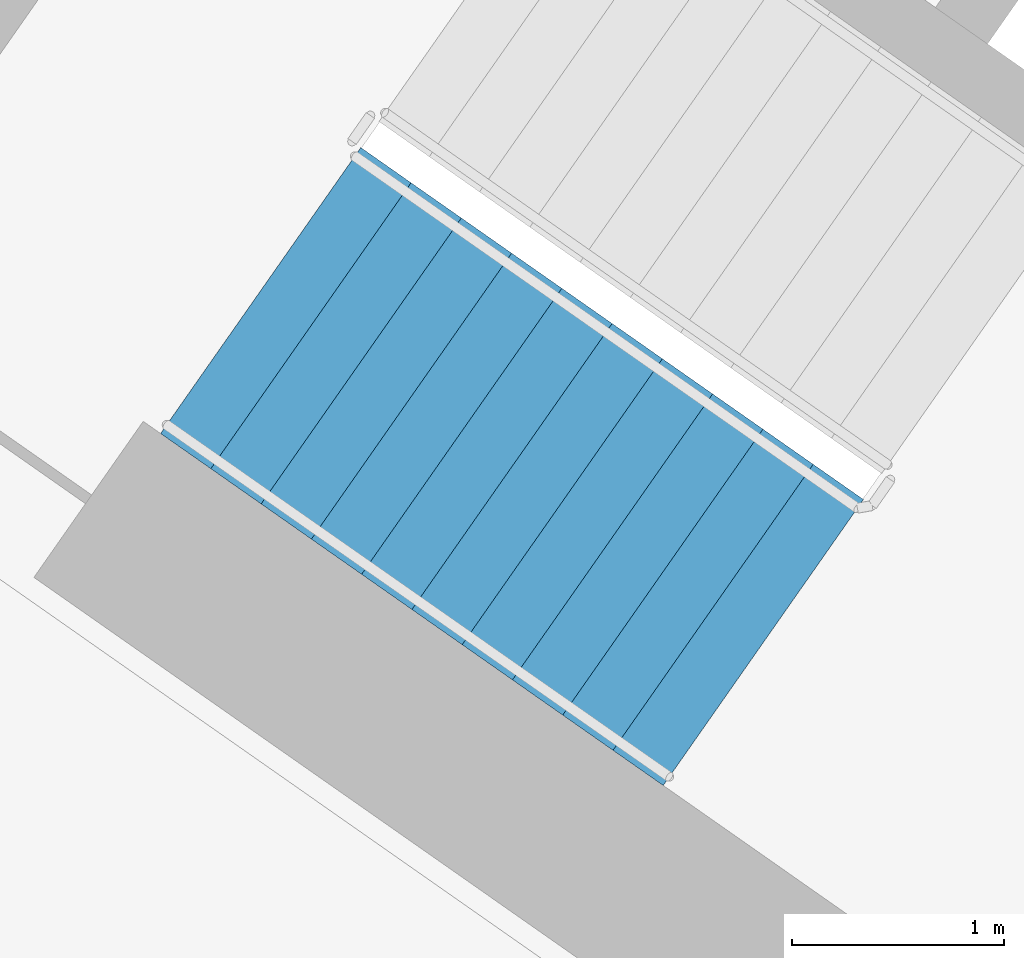
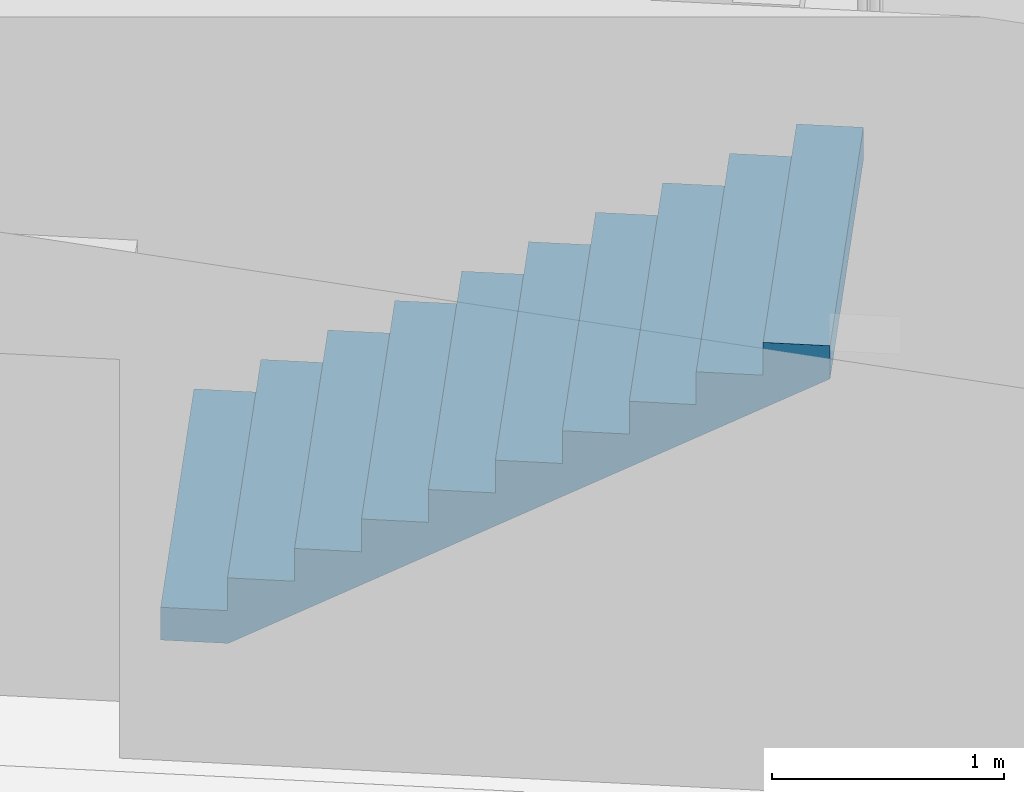
# One storey, part 11 of 31: 1 stair flight, 1 element without a shape of its own.
"""IFC4 building model written with IfcOpenShell, lengths in metres."""

from ifc_helpers import new_model, si_unit, direction, frame, origin, place, context, subcontext, project, spatial, faceted_brep, material, type_object, element, aggregate, save


model = new_model("IFC4")

# Units and contexts
model_context = context("Model", 3, precision=1e-05, world=origin(), true_north=direction((0.0, 1.0)))
body_context = subcontext(model_context, "Body", "Model", "MODEL_VIEW")
ifc_project = project(units=[si_unit("LENGTHUNIT", "METRE"), si_unit("AREAUNIT", "SQUARE_METRE"), si_unit("VOLUMEUNIT", "CUBIC_METRE"), si_unit("PLANEANGLEUNIT", "RADIAN"), si_unit("MASSUNIT", "GRAM", prefix="KILO")], contexts=[model_context])

# Site, building, storey
site_placement = place(None, origin())
site = spatial("IfcSite", under=ifc_project, at=site_placement, CompositionType="ELEMENT")
building_placement = place(site_placement, origin())
building = spatial("IfcBuilding", under=site, at=building_placement, Name="Qamariyya Broadcast Tower", CompositionType="ELEMENT")
storey_placement = place(building_placement, frame((0.0, 0.0, 59.5)))
storey = spatial("IfcBuildingStorey", under=building, at=storey_placement, Name="L11", CompositionType="ELEMENT", Elevation=59.5)

# Stair, stair flight
ifc_material = material(Name="Concrete C50/60", Category="concrete")
stair_type = type_object("IfcStairType", Name="Exit stair 22 risers of 173 mm", PredefinedType="HALF_TURN_STAIR", material=ifc_material)
stair_placement = place(storey_placement, origin())
stair = element("IfcStair", 1, at=stair_placement, inside=storey, type_object=stair_type, Name="L11 Stair W1", PredefinedType="HALF_TURN_STAIR")
stair_flight_type = type_object("IfcStairFlightType", Name="Exit stair flight 11 risers of 173 mm", PredefinedType="STRAIGHT", material=ifc_material)
stair_flight_placement = place(storey_placement, frame((-47.06884765625, -56.982666015625, 0.0), z_axis=(0.0, 0.0, 1.0), x_axis=(0.819152044289, -0.573576436351, 0.0)))
stair_flight = element("IfcStairFlight", 2, at=stair_flight_placement, type_object=stair_flight_type, Name="ST-W1 flight 1", NumberOfRisers=11, NumberOfTreads=10, PredefinedType="STRAIGHT", RiserHeight=0.172727273, TreadLength=0.29, context=body_context, shape_type="Brep", body=[
    faceted_brep([(0.0, 0.824951171875, 0.0), (0.0, 0.824951171875, 0.172607421875), (0.2900390625, 0.824951171875, 0.172607421875), (0.2900390625, 0.824951171875, 0.345458984375), (0.580078125, 0.824951171875, 0.345458984375), (0.580078125, 0.824951171875, 0.51806640625), (0.8701171875, 0.824951171875, 0.51806640625), (0.8701171875, 0.824951171875, 0.69091796875), (1.159912109375, 0.824951171875, 0.69091796875), (1.159912109375, 0.824951171875, 0.863525390625), (1.449951171875, 0.824951171875, 0.863525390625), (1.449951171875, 0.824951171875, 1.036376953125), (1.739990234375, 0.824951171875, 1.036376953125), (1.739990234375, 0.824951171875, 1.208984375), (2.030029296875, 0.824951171875, 1.208984375), (2.030029296875, 0.824951171875, 1.3818359375), (2.320068359375, 0.824951171875, 1.3818359375), (2.320068359375, 0.824951171875, 1.554443359375), (2.610107421875, 0.824951171875, 1.554443359375), (2.610107421875, 0.824951171875, 1.727294921875), (2.89990234375, 0.824951171875, 1.727294921875), (2.89990234375, 0.824951171875, 1.552734375), (0.29296875, 0.824951171875, 0.0), (0.29296875, -0.824951171875, 0.0), (2.89990234375, -0.824951171875, 1.552734375), (2.89990234375, -0.824951171875, 1.727294921875), (2.610107421875, -0.824951171875, 1.727294921875), (2.610107421875, -0.824951171875, 1.554443359375), (2.320068359375, -0.824951171875, 1.554443359375), (2.320068359375, -0.824951171875, 1.3818359375), (2.030029296875, -0.824951171875, 1.3818359375), (2.030029296875, -0.824951171875, 1.208984375), (1.739990234375, -0.824951171875, 1.208984375), (1.739990234375, -0.824951171875, 1.036376953125), (1.449951171875, -0.824951171875, 1.036376953125), (1.449951171875, -0.824951171875, 0.863525390625), (1.159912109375, -0.824951171875, 0.863525390625), (1.159912109375, -0.824951171875, 0.69091796875), (0.8701171875, -0.824951171875, 0.69091796875), (0.8701171875, -0.824951171875, 0.51806640625), (0.580078125, -0.824951171875, 0.51806640625), (0.580078125, -0.824951171875, 0.345458984375), (0.2900390625, -0.824951171875, 0.345458984375), (0.2900390625, -0.824951171875, 0.172607421875), (0.0, -0.824951171875, 0.172607421875), (0.0, -0.824951171875, 0.0), (0.0, 0.10009765625, 0.0), (0.0, 0.086669921875, 0.0), (0.0, 0.0732421875, 0.0), (0.0, 0.06005859375, 0.0), (0.0, 0.046630859375, 0.0), (0.0, 0.033447265625, 0.0), (0.0, 0.02001953125, 0.0), (0.0, 0.006591796875, 0.0), (0.0, -0.006591796875, 0.0), (0.0, -0.02001953125, 0.0), (0.0, -0.033447265625, 0.0), (0.0, -0.046630859375, 0.0), (0.0, -0.06005859375, 0.0), (0.0, -0.0732421875, 0.0), (0.0, -0.086669921875, 0.0), (0.0, -0.10009765625, 0.0), (0.0, -0.10009765625, 0.172607421875), (0.0, -0.086669921875, 0.172607421875), (0.0, -0.0732421875, 0.172607421875), (0.0, -0.06005859375, 0.172607421875), (0.0, -0.046630859375, 0.172607421875), (0.0, -0.033447265625, 0.172607421875), (0.0, -0.02001953125, 0.172607421875), (0.0, -0.006591796875, 0.172607421875), (0.0, 0.006591796875, 0.172607421875), (0.0, 0.02001953125, 0.172607421875), (0.0, 0.033447265625, 0.172607421875), (0.0, 0.046630859375, 0.172607421875), (0.0, 0.06005859375, 0.172607421875), (0.0, 0.0732421875, 0.172607421875), (0.0, 0.086669921875, 0.172607421875), (0.0, 0.10009765625, 0.172607421875), (0.2900390625, -0.10009765625, 0.172607421875), (0.2900390625, -0.086669921875, 0.172607421875), (0.2900390625, -0.0732421875, 0.172607421875), (0.2900390625, -0.06005859375, 0.172607421875), (0.2900390625, -0.046630859375, 0.172607421875), (0.2900390625, -0.033447265625, 0.172607421875), (0.2900390625, -0.02001953125, 0.172607421875), (0.2900390625, -0.006591796875, 0.172607421875), (0.2900390625, 0.006591796875, 0.172607421875), (0.2900390625, 0.02001953125, 0.172607421875), (0.2900390625, 0.033447265625, 0.172607421875), (0.2900390625, 0.046630859375, 0.172607421875), (0.2900390625, 0.06005859375, 0.172607421875), (0.2900390625, 0.0732421875, 0.172607421875), (0.2900390625, 0.086669921875, 0.172607421875), (0.2900390625, 0.10009765625, 0.172607421875), (0.2900390625, -0.10009765625, 0.345458984375), (0.2900390625, -0.086669921875, 0.345458984375), (0.2900390625, -0.0732421875, 0.345458984375), (0.2900390625, -0.06005859375, 0.345458984375), (0.2900390625, -0.046630859375, 0.345458984375), (0.2900390625, -0.033447265625, 0.345458984375), (0.2900390625, -0.02001953125, 0.345458984375), (0.2900390625, -0.006591796875, 0.345458984375), (0.2900390625, 0.006591796875, 0.345458984375), (0.2900390625, 0.02001953125, 0.345458984375), (0.2900390625, 0.033447265625, 0.345458984375), (0.2900390625, 0.046630859375, 0.345458984375), (0.2900390625, 0.06005859375, 0.345458984375), (0.2900390625, 0.0732421875, 0.345458984375), (0.2900390625, 0.086669921875, 0.345458984375), (0.2900390625, 0.10009765625, 0.345458984375), (0.580078125, -0.10009765625, 0.345458984375), (0.580078125, -0.086669921875, 0.345458984375), (0.580078125, -0.0732421875, 0.345458984375), (0.580078125, -0.06005859375, 0.345458984375), (0.580078125, -0.046630859375, 0.345458984375), (0.580078125, -0.033447265625, 0.345458984375), (0.580078125, -0.02001953125, 0.345458984375), (0.580078125, -0.006591796875, 0.345458984375), (0.580078125, 0.006591796875, 0.345458984375), (0.580078125, 0.02001953125, 0.345458984375), (0.580078125, 0.033447265625, 0.345458984375), (0.580078125, 0.046630859375, 0.345458984375), (0.580078125, 0.06005859375, 0.345458984375), (0.580078125, 0.0732421875, 0.345458984375), (0.580078125, 0.086669921875, 0.345458984375), (0.580078125, 0.10009765625, 0.345458984375), (0.580078125, -0.10009765625, 0.51806640625), (0.580078125, -0.086669921875, 0.51806640625), (0.580078125, -0.0732421875, 0.51806640625), (0.580078125, -0.06005859375, 0.51806640625), (0.580078125, -0.046630859375, 0.51806640625), (0.580078125, -0.033447265625, 0.51806640625), (0.580078125, -0.02001953125, 0.51806640625), (0.580078125, -0.006591796875, 0.51806640625), (0.580078125, 0.006591796875, 0.51806640625), (0.580078125, 0.02001953125, 0.51806640625), (0.580078125, 0.033447265625, 0.51806640625), (0.580078125, 0.046630859375, 0.51806640625), (0.580078125, 0.06005859375, 0.51806640625), (0.580078125, 0.0732421875, 0.51806640625), (0.580078125, 0.086669921875, 0.51806640625), (0.580078125, 0.10009765625, 0.51806640625), (0.8701171875, -0.10009765625, 0.51806640625), (0.8701171875, -0.086669921875, 0.51806640625), (0.8701171875, -0.0732421875, 0.51806640625), (0.8701171875, -0.06005859375, 0.51806640625), (0.8701171875, -0.046630859375, 0.51806640625), (0.8701171875, -0.033447265625, 0.51806640625), (0.8701171875, -0.02001953125, 0.51806640625), (0.8701171875, -0.006591796875, 0.51806640625), (0.8701171875, 0.006591796875, 0.51806640625), (0.8701171875, 0.02001953125, 0.51806640625), (0.8701171875, 0.033447265625, 0.51806640625), (0.8701171875, 0.046630859375, 0.51806640625), (0.8701171875, 0.06005859375, 0.51806640625), (0.8701171875, 0.0732421875, 0.51806640625), (0.8701171875, 0.086669921875, 0.51806640625), (0.8701171875, 0.10009765625, 0.51806640625), (0.8701171875, -0.10009765625, 0.69091796875), (0.8701171875, -0.086669921875, 0.69091796875), (0.8701171875, -0.0732421875, 0.69091796875), (0.8701171875, -0.06005859375, 0.69091796875), (0.8701171875, -0.046630859375, 0.69091796875), (0.8701171875, -0.033447265625, 0.69091796875), (0.8701171875, -0.02001953125, 0.69091796875), (0.8701171875, -0.006591796875, 0.69091796875), (0.8701171875, 0.006591796875, 0.69091796875), (0.8701171875, 0.02001953125, 0.69091796875), (0.8701171875, 0.033447265625, 0.69091796875), (0.8701171875, 0.046630859375, 0.69091796875), (0.8701171875, 0.06005859375, 0.69091796875), (0.8701171875, 0.0732421875, 0.69091796875), (0.8701171875, 0.086669921875, 0.69091796875), (0.8701171875, 0.10009765625, 0.69091796875), (1.159912109375, -0.10009765625, 0.69091796875), (1.159912109375, -0.086669921875, 0.69091796875), (1.159912109375, -0.0732421875, 0.69091796875), (1.159912109375, -0.06005859375, 0.69091796875), (1.159912109375, -0.046630859375, 0.69091796875), (1.159912109375, -0.033447265625, 0.69091796875), (1.159912109375, -0.02001953125, 0.69091796875), (1.159912109375, -0.006591796875, 0.69091796875), (1.159912109375, 0.006591796875, 0.69091796875), (1.159912109375, 0.02001953125, 0.69091796875), (1.159912109375, 0.033447265625, 0.69091796875), (1.159912109375, 0.046630859375, 0.69091796875), (1.159912109375, 0.06005859375, 0.69091796875), (1.159912109375, 0.0732421875, 0.69091796875), (1.159912109375, 0.086669921875, 0.69091796875), (1.159912109375, 0.10009765625, 0.69091796875), (1.159912109375, -0.10009765625, 0.863525390625), (1.159912109375, -0.086669921875, 0.863525390625), (1.159912109375, -0.0732421875, 0.863525390625), (1.159912109375, -0.06005859375, 0.863525390625), (1.159912109375, -0.046630859375, 0.863525390625), (1.159912109375, -0.033447265625, 0.863525390625), (1.159912109375, -0.02001953125, 0.863525390625), (1.159912109375, -0.006591796875, 0.863525390625), (1.159912109375, 0.006591796875, 0.863525390625), (1.159912109375, 0.02001953125, 0.863525390625), (1.159912109375, 0.033447265625, 0.863525390625), (1.159912109375, 0.046630859375, 0.863525390625), (1.159912109375, 0.06005859375, 0.863525390625), (1.159912109375, 0.0732421875, 0.863525390625), (1.159912109375, 0.086669921875, 0.863525390625), (1.159912109375, 0.10009765625, 0.863525390625), (1.449951171875, -0.10009765625, 0.863525390625), (1.449951171875, -0.086669921875, 0.863525390625), (1.449951171875, -0.0732421875, 0.863525390625), (1.449951171875, -0.06005859375, 0.863525390625), (1.449951171875, -0.046630859375, 0.863525390625), (1.449951171875, -0.033447265625, 0.863525390625), (1.449951171875, -0.02001953125, 0.863525390625), (1.449951171875, -0.006591796875, 0.863525390625), (1.449951171875, 0.006591796875, 0.863525390625), (1.449951171875, 0.02001953125, 0.863525390625), (1.449951171875, 0.033447265625, 0.863525390625), (1.449951171875, 0.046630859375, 0.863525390625), (1.449951171875, 0.06005859375, 0.863525390625), (1.449951171875, 0.0732421875, 0.863525390625), (1.449951171875, 0.086669921875, 0.863525390625), (1.449951171875, 0.10009765625, 0.863525390625), (1.449951171875, -0.10009765625, 1.036376953125), (1.449951171875, -0.086669921875, 1.036376953125), (1.449951171875, -0.0732421875, 1.036376953125), (1.449951171875, -0.06005859375, 1.036376953125), (1.449951171875, -0.046630859375, 1.036376953125), (1.449951171875, -0.033447265625, 1.036376953125), (1.449951171875, -0.02001953125, 1.036376953125), (1.449951171875, -0.006591796875, 1.036376953125), (1.449951171875, 0.006591796875, 1.036376953125), (1.449951171875, 0.02001953125, 1.036376953125), (1.449951171875, 0.033447265625, 1.036376953125), (1.449951171875, 0.046630859375, 1.036376953125), (1.449951171875, 0.06005859375, 1.036376953125), (1.449951171875, 0.0732421875, 1.036376953125), (1.449951171875, 0.086669921875, 1.036376953125), (1.449951171875, 0.10009765625, 1.036376953125), (1.739990234375, -0.10009765625, 1.036376953125), (1.739990234375, -0.086669921875, 1.036376953125), (1.739990234375, -0.0732421875, 1.036376953125), (1.739990234375, -0.06005859375, 1.036376953125), (1.739990234375, -0.046630859375, 1.036376953125), (1.739990234375, -0.033447265625, 1.036376953125), (1.739990234375, -0.02001953125, 1.036376953125), (1.739990234375, -0.006591796875, 1.036376953125), (1.739990234375, 0.006591796875, 1.036376953125), (1.739990234375, 0.02001953125, 1.036376953125), (1.739990234375, 0.033447265625, 1.036376953125), (1.739990234375, 0.046630859375, 1.036376953125), (1.739990234375, 0.06005859375, 1.036376953125), (1.739990234375, 0.0732421875, 1.036376953125), (1.739990234375, 0.086669921875, 1.036376953125), (1.739990234375, 0.10009765625, 1.036376953125), (1.739990234375, -0.10009765625, 1.208984375), (1.739990234375, -0.086669921875, 1.208984375), (1.739990234375, -0.0732421875, 1.208984375), (1.739990234375, -0.06005859375, 1.208984375), (1.739990234375, -0.046630859375, 1.208984375), (1.739990234375, -0.033447265625, 1.208984375), (1.739990234375, -0.02001953125, 1.208984375), (1.739990234375, -0.006591796875, 1.208984375), (1.739990234375, 0.006591796875, 1.208984375), (1.739990234375, 0.02001953125, 1.208984375), (1.739990234375, 0.033447265625, 1.208984375), (1.739990234375, 0.046630859375, 1.208984375), (1.739990234375, 0.06005859375, 1.208984375), (1.739990234375, 0.0732421875, 1.208984375), (1.739990234375, 0.086669921875, 1.208984375), (1.739990234375, 0.10009765625, 1.208984375), (2.030029296875, -0.10009765625, 1.208984375), (2.030029296875, -0.086669921875, 1.208984375), (2.030029296875, -0.0732421875, 1.208984375), (2.030029296875, -0.06005859375, 1.208984375), (2.030029296875, -0.046630859375, 1.208984375), (2.030029296875, -0.033447265625, 1.208984375), (2.030029296875, -0.02001953125, 1.208984375), (2.030029296875, -0.006591796875, 1.208984375), (2.030029296875, 0.006591796875, 1.208984375), (2.030029296875, 0.02001953125, 1.208984375), (2.030029296875, 0.033447265625, 1.208984375), (2.030029296875, 0.046630859375, 1.208984375), (2.030029296875, 0.06005859375, 1.208984375), (2.030029296875, 0.0732421875, 1.208984375), (2.030029296875, 0.086669921875, 1.208984375), (2.030029296875, 0.10009765625, 1.208984375), (2.030029296875, -0.10009765625, 1.3818359375), (2.030029296875, -0.086669921875, 1.3818359375), (2.030029296875, -0.0732421875, 1.3818359375), (2.030029296875, -0.06005859375, 1.3818359375), (2.030029296875, -0.046630859375, 1.3818359375), (2.030029296875, -0.033447265625, 1.3818359375), (2.030029296875, -0.02001953125, 1.3818359375), (2.030029296875, -0.006591796875, 1.3818359375), (2.030029296875, 0.006591796875, 1.3818359375), (2.030029296875, 0.02001953125, 1.3818359375), (2.030029296875, 0.033447265625, 1.3818359375), (2.030029296875, 0.046630859375, 1.3818359375), (2.030029296875, 0.06005859375, 1.3818359375), (2.030029296875, 0.0732421875, 1.3818359375), (2.030029296875, 0.086669921875, 1.3818359375), (2.030029296875, 0.10009765625, 1.3818359375), (2.320068359375, -0.10009765625, 1.3818359375), (2.320068359375, -0.086669921875, 1.3818359375), (2.320068359375, -0.0732421875, 1.3818359375), (2.320068359375, -0.06005859375, 1.3818359375), (2.320068359375, -0.046630859375, 1.3818359375), (2.320068359375, -0.033447265625, 1.3818359375), (2.320068359375, -0.02001953125, 1.3818359375), (2.320068359375, -0.006591796875, 1.3818359375), (2.320068359375, 0.006591796875, 1.3818359375), (2.320068359375, 0.02001953125, 1.3818359375), (2.320068359375, 0.033447265625, 1.3818359375), (2.320068359375, 0.046630859375, 1.3818359375), (2.320068359375, 0.06005859375, 1.3818359375), (2.320068359375, 0.0732421875, 1.3818359375), (2.320068359375, 0.086669921875, 1.3818359375), (2.320068359375, 0.10009765625, 1.3818359375), (2.320068359375, -0.10009765625, 1.554443359375), (2.320068359375, -0.086669921875, 1.554443359375), (2.320068359375, -0.0732421875, 1.554443359375), (2.320068359375, -0.06005859375, 1.554443359375), (2.320068359375, -0.046630859375, 1.554443359375), (2.320068359375, -0.033447265625, 1.554443359375), (2.320068359375, -0.02001953125, 1.554443359375), (2.320068359375, -0.006591796875, 1.554443359375), (2.320068359375, 0.006591796875, 1.554443359375), (2.320068359375, 0.02001953125, 1.554443359375), (2.320068359375, 0.033447265625, 1.554443359375), (2.320068359375, 0.046630859375, 1.554443359375), (2.320068359375, 0.06005859375, 1.554443359375), (2.320068359375, 0.0732421875, 1.554443359375), (2.320068359375, 0.086669921875, 1.554443359375), (2.320068359375, 0.10009765625, 1.554443359375), (2.610107421875, -0.10009765625, 1.554443359375), (2.610107421875, -0.086669921875, 1.554443359375), (2.610107421875, -0.0732421875, 1.554443359375), (2.610107421875, -0.06005859375, 1.554443359375), (2.610107421875, -0.046630859375, 1.554443359375), (2.610107421875, -0.033447265625, 1.554443359375), (2.610107421875, -0.02001953125, 1.554443359375), (2.610107421875, -0.006591796875, 1.554443359375), (2.610107421875, 0.006591796875, 1.554443359375), (2.610107421875, 0.02001953125, 1.554443359375), (2.610107421875, 0.033447265625, 1.554443359375), (2.610107421875, 0.046630859375, 1.554443359375), (2.610107421875, 0.06005859375, 1.554443359375), (2.610107421875, 0.0732421875, 1.554443359375), (2.610107421875, 0.086669921875, 1.554443359375), (2.610107421875, 0.10009765625, 1.554443359375), (2.610107421875, -0.10009765625, 1.727294921875), (2.610107421875, -0.086669921875, 1.727294921875), (2.610107421875, -0.0732421875, 1.727294921875), (2.610107421875, -0.06005859375, 1.727294921875), (2.610107421875, -0.046630859375, 1.727294921875), (2.610107421875, -0.033447265625, 1.727294921875), (2.610107421875, -0.02001953125, 1.727294921875), (2.610107421875, -0.006591796875, 1.727294921875), (2.610107421875, 0.006591796875, 1.727294921875), (2.610107421875, 0.02001953125, 1.727294921875), (2.610107421875, 0.033447265625, 1.727294921875), (2.610107421875, 0.046630859375, 1.727294921875), (2.610107421875, 0.06005859375, 1.727294921875), (2.610107421875, 0.0732421875, 1.727294921875), (2.610107421875, 0.086669921875, 1.727294921875), (2.610107421875, 0.10009765625, 1.727294921875), (2.89990234375, -0.10009765625, 1.727294921875), (2.89990234375, -0.086669921875, 1.727294921875), (2.89990234375, -0.0732421875, 1.727294921875), (2.89990234375, -0.06005859375, 1.727294921875), (2.89990234375, -0.046630859375, 1.727294921875), (2.89990234375, -0.033447265625, 1.727294921875), (2.89990234375, -0.02001953125, 1.727294921875), (2.89990234375, -0.006591796875, 1.727294921875), (2.89990234375, 0.006591796875, 1.727294921875), (2.89990234375, 0.02001953125, 1.727294921875), (2.89990234375, 0.033447265625, 1.727294921875), (2.89990234375, 0.046630859375, 1.727294921875), (2.89990234375, 0.06005859375, 1.727294921875), (2.89990234375, 0.0732421875, 1.727294921875), (2.89990234375, 0.086669921875, 1.727294921875), (2.89990234375, 0.10009765625, 1.727294921875), (2.89990234375, -0.10009765625, 1.552734375), (2.89990234375, -0.086669921875, 1.552734375), (2.89990234375, -0.0732421875, 1.552734375), (2.89990234375, -0.06005859375, 1.552734375), (2.89990234375, -0.046630859375, 1.552734375), (2.89990234375, -0.033447265625, 1.552734375), (2.89990234375, -0.02001953125, 1.552734375), (2.89990234375, -0.006591796875, 1.552734375), (2.89990234375, 0.006591796875, 1.552734375), (2.89990234375, 0.02001953125, 1.552734375), (2.89990234375, 0.033447265625, 1.552734375), (2.89990234375, 0.046630859375, 1.552734375), (2.89990234375, 0.06005859375, 1.552734375), (2.89990234375, 0.0732421875, 1.552734375), (2.89990234375, 0.086669921875, 1.552734375), (2.89990234375, 0.10009765625, 1.552734375), (0.29296875, -0.10009765625, 0.0), (0.29296875, -0.086669921875, 0.0), (0.29296875, -0.0732421875, 0.0), (0.29296875, -0.06005859375, 0.0), (0.29296875, -0.046630859375, 0.0), (0.29296875, -0.033447265625, 0.0), (0.29296875, -0.02001953125, 0.0), (0.29296875, -0.006591796875, 0.0), (0.29296875, 0.006591796875, 0.0), (0.29296875, 0.02001953125, 0.0), (0.29296875, 0.033447265625, 0.0), (0.29296875, 0.046630859375, 0.0), (0.29296875, 0.06005859375, 0.0), (0.29296875, 0.0732421875, 0.0), (0.29296875, 0.086669921875, 0.0), (0.29296875, 0.10009765625, 0.0)], [[[0, 1, 2, 3, 4, 5, 6, 7, 8, 9, 10, 11, 12, 13, 14, 15, 16, 17, 18, 19, 20, 21, 22]], [[23, 24, 25, 26, 27, 28, 29, 30, 31, 32, 33, 34, 35, 36, 37, 38, 39, 40, 41, 42, 43, 44, 45]], [[0, 46, 47, 48, 49, 50, 51, 52, 53, 54, 55, 56, 57, 58, 59, 60, 61, 45, 44, 62, 63, 64, 65, 66, 67, 68, 69, 70, 71, 72, 73, 74, 75, 76, 77, 1]], [[1, 77, 76, 75, 74, 73, 72, 71, 70, 69, 68, 67, 66, 65, 64, 63, 62, 44, 43, 78, 79, 80, 81, 82, 83, 84, 85, 86, 87, 88, 89, 90, 91, 92, 93, 2]], [[2, 93, 92, 91, 90, 89, 88, 87, 86, 85, 84, 83, 82, 81, 80, 79, 78, 43, 42, 94, 95, 96, 97, 98, 99, 100, 101, 102, 103, 104, 105, 106, 107, 108, 109, 3]], [[3, 109, 108, 107, 106, 105, 104, 103, 102, 101, 100, 99, 98, 97, 96, 95, 94, 42, 41, 110, 111, 112, 113, 114, 115, 116, 117, 118, 119, 120, 121, 122, 123, 124, 125, 4]], [[4, 125, 124, 123, 122, 121, 120, 119, 118, 117, 116, 115, 114, 113, 112, 111, 110, 41, 40, 126, 127, 128, 129, 130, 131, 132, 133, 134, 135, 136, 137, 138, 139, 140, 141, 5]], [[5, 141, 140, 139, 138, 137, 136, 135, 134, 133, 132, 131, 130, 129, 128, 127, 126, 40, 39, 142, 143, 144, 145, 146, 147, 148, 149, 150, 151, 152, 153, 154, 155, 156, 157, 6]], [[6, 157, 156, 155, 154, 153, 152, 151, 150, 149, 148, 147, 146, 145, 144, 143, 142, 39, 38, 158, 159, 160, 161, 162, 163, 164, 165, 166, 167, 168, 169, 170, 171, 172, 173, 7]], [[7, 173, 172, 171, 170, 169, 168, 167, 166, 165, 164, 163, 162, 161, 160, 159, 158, 38, 37, 174, 175, 176, 177, 178, 179, 180, 181, 182, 183, 184, 185, 186, 187, 188, 189, 8]], [[8, 189, 188, 187, 186, 185, 184, 183, 182, 181, 180, 179, 178, 177, 176, 175, 174, 37, 36, 190, 191, 192, 193, 194, 195, 196, 197, 198, 199, 200, 201, 202, 203, 204, 205, 9]], [[9, 205, 204, 203, 202, 201, 200, 199, 198, 197, 196, 195, 194, 193, 192, 191, 190, 36, 35, 206, 207, 208, 209, 210, 211, 212, 213, 214, 215, 216, 217, 218, 219, 220, 221, 10]], [[10, 221, 220, 219, 218, 217, 216, 215, 214, 213, 212, 211, 210, 209, 208, 207, 206, 35, 34, 222, 223, 224, 225, 226, 227, 228, 229, 230, 231, 232, 233, 234, 235, 236, 237, 11]], [[11, 237, 236, 235, 234, 233, 232, 231, 230, 229, 228, 227, 226, 225, 224, 223, 222, 34, 33, 238, 239, 240, 241, 242, 243, 244, 245, 246, 247, 248, 249, 250, 251, 252, 253, 12]], [[12, 253, 252, 251, 250, 249, 248, 247, 246, 245, 244, 243, 242, 241, 240, 239, 238, 33, 32, 254, 255, 256, 257, 258, 259, 260, 261, 262, 263, 264, 265, 266, 267, 268, 269, 13]], [[13, 269, 268, 267, 266, 265, 264, 263, 262, 261, 260, 259, 258, 257, 256, 255, 254, 32, 31, 270, 271, 272, 273, 274, 275, 276, 277, 278, 279, 280, 281, 282, 283, 284, 285, 14]], [[14, 285, 284, 283, 282, 281, 280, 279, 278, 277, 276, 275, 274, 273, 272, 271, 270, 31, 30, 286, 287, 288, 289, 290, 291, 292, 293, 294, 295, 296, 297, 298, 299, 300, 301, 15]], [[15, 301, 300, 299, 298, 297, 296, 295, 294, 293, 292, 291, 290, 289, 288, 287, 286, 30, 29, 302, 303, 304, 305, 306, 307, 308, 309, 310, 311, 312, 313, 314, 315, 316, 317, 16]], [[16, 317, 316, 315, 314, 313, 312, 311, 310, 309, 308, 307, 306, 305, 304, 303, 302, 29, 28, 318, 319, 320, 321, 322, 323, 324, 325, 326, 327, 328, 329, 330, 331, 332, 333, 17]], [[17, 333, 332, 331, 330, 329, 328, 327, 326, 325, 324, 323, 322, 321, 320, 319, 318, 28, 27, 334, 335, 336, 337, 338, 339, 340, 341, 342, 343, 344, 345, 346, 347, 348, 349, 18]], [[18, 349, 348, 347, 346, 345, 344, 343, 342, 341, 340, 339, 338, 337, 336, 335, 334, 27, 26, 350, 351, 352, 353, 354, 355, 356, 357, 358, 359, 360, 361, 362, 363, 364, 365, 19]], [[19, 365, 364, 363, 362, 361, 360, 359, 358, 357, 356, 355, 354, 353, 352, 351, 350, 26, 25, 366, 367, 368, 369, 370, 371, 372, 373, 374, 375, 376, 377, 378, 379, 380, 381, 20]], [[20, 381, 380, 379, 378, 377, 376, 375, 374, 373, 372, 371, 370, 369, 368, 367, 366, 25, 24, 382, 383, 384, 385, 386, 387, 388, 389, 390, 391, 392, 393, 394, 395, 396, 397, 21]], [[21, 397, 396, 395, 394, 393, 392, 391, 390, 389, 388, 387, 386, 385, 384, 383, 382, 24, 23, 398, 399, 400, 401, 402, 403, 404, 405, 406, 407, 408, 409, 410, 411, 412, 413, 22]], [[22, 413, 412, 411, 410, 409, 408, 407, 406, 405, 404, 403, 402, 401, 400, 399, 398, 23, 45, 61, 60, 59, 58, 57, 56, 55, 54, 53, 52, 51, 50, 49, 48, 47, 46, 0]]]),
])
aggregate(stair, [stair_flight])

save(model, "model.ifc")
